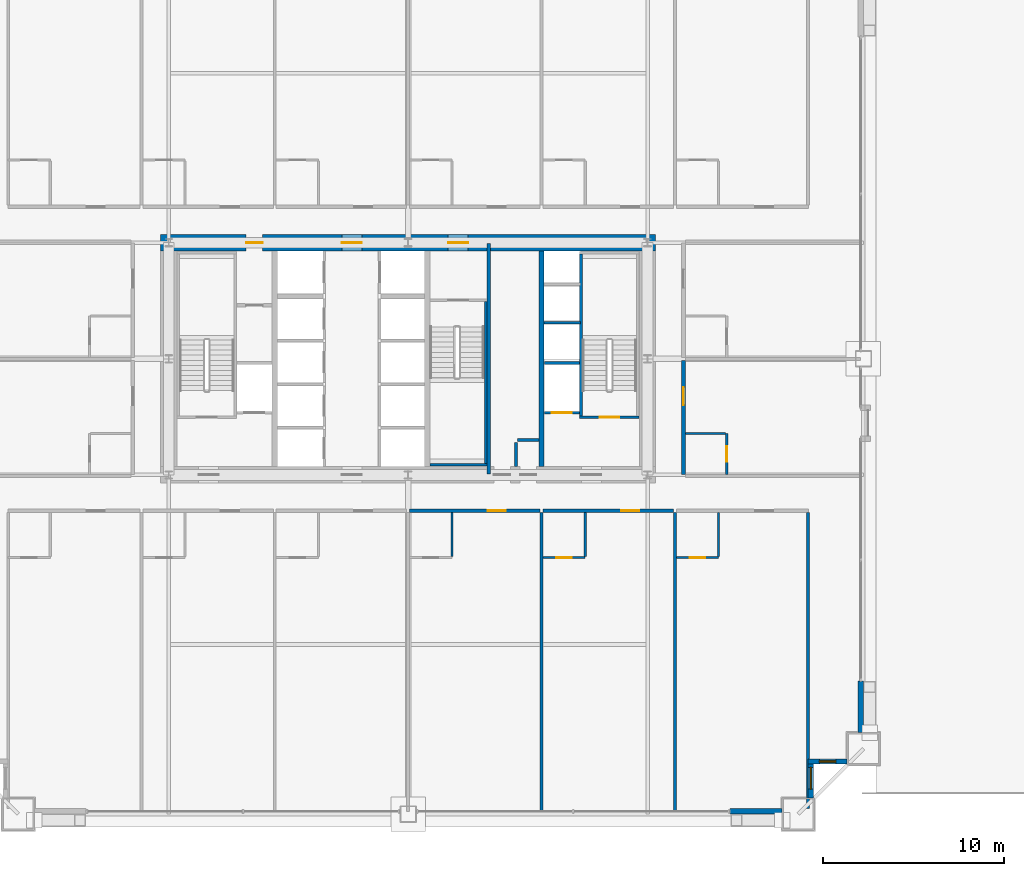
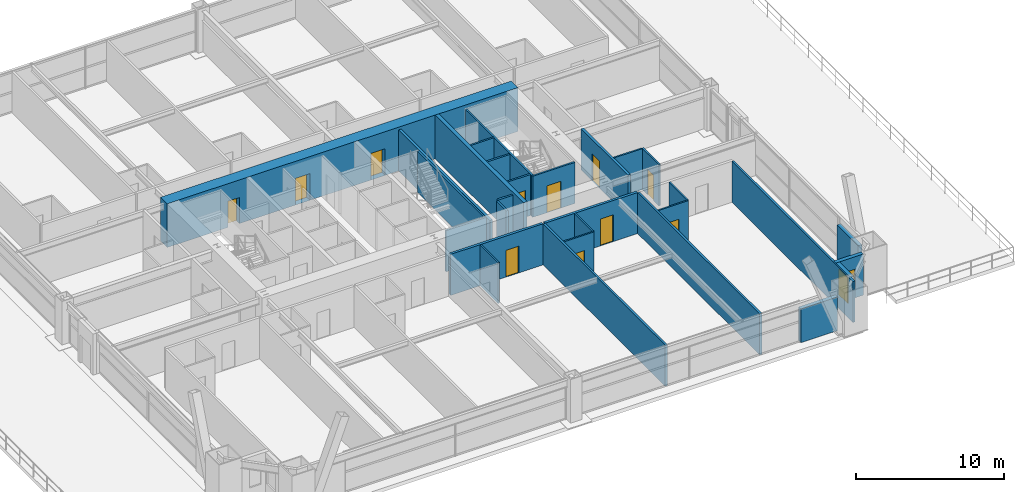
# One storey, part 40 of 45: 29 walls, 11 doors, 2 windows, 13 openings.
"""IFC4 building model written with IfcOpenShell, lengths in metres."""

from ifc_helpers import new_model, si_unit, direction, frame, frame_2d, origin, place, context, subcontext, project, spatial, rectangle, extrude, source, transform, mapped, material, layer, layer_set, type_object, element, fill, save


model = new_model("IFC4")

# Units and contexts
model_context = context("Model", 3, precision=1e-05, world=origin(), true_north=direction((0.0, 1.0)))
body_context = subcontext(model_context, "Body", "Model", "MODEL_VIEW")
ifc_project = project(units=[si_unit("LENGTHUNIT", "METRE"), si_unit("AREAUNIT", "SQUARE_METRE"), si_unit("VOLUMEUNIT", "CUBIC_METRE"), si_unit("PLANEANGLEUNIT", "RADIAN"), si_unit("MASSUNIT", "GRAM", prefix="KILO"), si_unit("THERMODYNAMICTEMPERATUREUNIT", "KELVIN"), si_unit("POWERUNIT", "WATT")], contexts=[model_context])

# Site, building, storey
site_placement = place(None, origin())
site = spatial("IfcSite", under=ifc_project, at=site_placement, CompositionType="ELEMENT")
building_placement = place(site_placement, origin())
building = spatial("IfcBuilding", under=site, at=building_placement, Name="Yuzanri Waterfront Tower", CompositionType="ELEMENT")
storey_placement = place(building_placement, frame((0.0, 0.0, 30.60009765625)))
storey = spatial("IfcBuildingStorey", under=building, at=storey_placement, Name="L07", CompositionType="ELEMENT", Elevation=30.60009765625)

# Wall, opening, door
ifc_material_1 = material(Name="Moisture-Resistant Gypsum Stud Wall", Category="gypsum")
ifc_layer_1 = layer(ifc_material_1, 0.1201171875)
ifc_layer_set_1 = layer_set([ifc_layer_1], Name="Moisture-Resistant Gypsum Stud Wall")
wall_type_1 = type_object("IfcWallType", Name="Bathroom and Kitchen Wet Partition 120", PredefinedType="PARTITIONING", material=ifc_layer_set_1)
wall_1_placement = place(storey_placement, frame((44.43310546875, 14.840087890625, 0.0), z_axis=(0.0, 0.0, 1.0), x_axis=(1.0, 0.0, 0.0)))
wall_1 = element("IfcWall", 1, at=wall_1_placement, inside=storey, type_object=wall_type_1, Name="L07 Partition UW-L07-S5-BS", PredefinedType="PARTITIONING", context=body_context, shape_type="SweptSolid", body=[
    extrude(rectangle(XDim=2.329833984375, YDim=0.1201171875, at=frame_2d((1.1650390625, 0.0))), origin(), (0.0, 0.0, 1.0), 3.3798828125),
])
opening_1_placement = place(wall_1_placement, frame((0.739990234375, 0.0, 0.0)))
opening_1 = element("IfcOpeningElement", 2, at=opening_1_placement, cuts=wall_1, Name="Opening ID-0850", PredefinedType="OPENING", context=body_context, shape_type="SweptSolid", body=[
    extrude(rectangle(XDim=0.85009765625, YDim=2.10009765625, at=frame_2d((0.425048828125, 1.050048828125))), frame((0.0, 0.074951171875, 0.0), z_axis=(0.0, -1.0, 0.0), x_axis=(1.0, 0.0, 0.0)), (0.0, 0.0, 1.0), 0.14990234375),
])
ifc_material_2 = material(Name="Moisture-Resistant Lacquered Timber", Category="wood")
door_type_1 = type_object("IfcDoorType", Name="En-Suite Bathroom and Kitchen Swing Door 850x2100", OperationType="NOTDEFINED", PredefinedType="DOOR", material=ifc_material_2)
shared_shape_1 = source(origin(), body_context, "Body", "SweptSolid", [
    extrude(rectangle(XDim=0.85009765625, YDim=2.10009765625, at=frame_2d((0.425048828125, 1.050048828125))), frame((0.0, 0.02490234375, 0.0), z_axis=(0.0, -1.0, 0.0), x_axis=(1.0, 0.0, 0.0)), (0.0, 0.0, 1.0), 0.050048828125),
])
door_1_placement = place(opening_1_placement, origin())
door_1 = element("IfcDoor", 3, at=door_1_placement, inside=storey, type_object=door_type_1, Name="L07 Guest En-Suite Door", OperationType="SINGLE_SWING_LEFT", OverallHeight=2.10009765625, OverallWidth=0.85009765625, PredefinedType="DOOR", context=body_context, shape_type="MappedRepresentation", body=[
    mapped(shared_shape_1, transform((0.0, 0.0, 0.0), scale=1.0)),
])
fill(opening_1, door_1)

wall_2_placement = place(storey_placement, frame((51.787109375, 14.840087890625, 0.0), z_axis=(0.0, 0.0, 1.0), x_axis=(1.0, 0.0, 0.0)))
wall_2 = element("IfcWall", 4, at=wall_2_placement, inside=storey, type_object=wall_type_1, Name="L07 Partition UW-L07-S6-BS", PredefinedType="PARTITIONING", context=body_context, shape_type="SweptSolid", body=[
    extrude(rectangle(XDim=2.329833984375, YDim=0.1201171875, at=frame_2d((1.1650390625, 0.0))), origin(), (0.0, 0.0, 1.0), 3.3798828125),
])
opening_2_placement = place(wall_2_placement, frame((0.739990234375, 0.0, 0.0)))
opening_2 = element("IfcOpeningElement", 5, at=opening_2_placement, cuts=wall_2, Name="Opening ID-0850", PredefinedType="OPENING", context=body_context, shape_type="SweptSolid", body=[
    extrude(rectangle(XDim=0.85009765625, YDim=2.10009765625, at=frame_2d((0.425048828125, 1.050048828125))), frame((0.0, 0.074951171875, 0.0), z_axis=(0.0, -1.0, 0.0), x_axis=(1.0, 0.0, 0.0)), (0.0, 0.0, 1.0), 0.14990234375),
])
door_2_placement = place(opening_2_placement, origin())
door_2 = element("IfcDoor", 6, at=door_2_placement, inside=storey, type_object=door_type_1, Name="L07 Guest En-Suite Door", OperationType="SINGLE_SWING_LEFT", OverallHeight=2.10009765625, OverallWidth=0.85009765625, PredefinedType="DOOR", context=body_context, shape_type="MappedRepresentation", body=[
    mapped(shared_shape_1, transform((0.0, 0.0, 0.0), scale=1.0)),
])
fill(opening_2, door_2)

wall_3_placement = place(storey_placement, frame((54.56005859375, 19.409912109375, 0.0), z_axis=(0.0, 0.0, 1.0), x_axis=(0.0, 1.0, 0.0)))
wall_3 = element("IfcWall", 7, at=wall_3_placement, inside=storey, type_object=wall_type_1, Name="L07 Partition UW-L07-E1-BE2", PredefinedType="PARTITIONING", context=body_context, shape_type="SweptSolid", body=[
    extrude(rectangle(XDim=2.280029296875, YDim=0.1201171875, at=frame_2d((1.14013671875, 0.0))), origin(), (0.0, 0.0, 1.0), 3.3798828125),
])
opening_3_placement = place(wall_3_placement, frame((0.715087890625, 0.0, 0.0)))
opening_3 = element("IfcOpeningElement", 8, at=opening_3_placement, cuts=wall_3, Name="Opening ID-0850", PredefinedType="OPENING", context=body_context, shape_type="SweptSolid", body=[
    extrude(rectangle(XDim=0.85009765625, YDim=2.10009765625, at=frame_2d((0.425048828125, 1.050048828125))), frame((0.0, 0.074951171875, 0.0), z_axis=(0.0, -1.0, 0.0), x_axis=(1.0, 0.0, 0.0)), (0.0, 0.0, 1.0), 0.14990234375),
])
door_3_placement = place(opening_3_placement, origin())
door_3 = element("IfcDoor", 9, at=door_3_placement, inside=storey, type_object=door_type_1, Name="L07 Guest En-Suite Door", OperationType="SINGLE_SWING_LEFT", OverallHeight=2.10009765625, OverallWidth=0.85009765625, PredefinedType="DOOR", context=body_context, shape_type="MappedRepresentation", body=[
    mapped(shared_shape_1, transform((0.0, 0.0, 0.0), scale=1.0)),
])
fill(opening_3, door_3)

# Wall, opening, window
ifc_material_3 = material(Name="Honed Chongqing Dark Basalt Stone", Category="masonry")
ifc_layer_2 = layer(ifc_material_3, 0.300048828125)
ifc_layer_set_2 = layer_set([ifc_layer_2], Name="Honed Chongqing Dark Basalt Stone")
wall_type_2 = type_object("IfcWallType", Name="Bronze Rainscreen Insulated Spandrel Portal Wall 300", PredefinedType="SOLIDWALL", material=ifc_layer_set_2)
wall_4_placement = place(storey_placement, frame((59.050048828125, 3.60009765625, 0.0), z_axis=(0.0, 0.0, 1.0), x_axis=(1.0, 0.0, 0.0)))
wall_4 = element("IfcWall", 10, at=wall_4_placement, inside=storey, type_object=wall_type_2, Name="L07 Notched Corner Masonry Wall SE-X", PredefinedType="SOLIDWALL", context=body_context, shape_type="SweptSolid", body=[
    extrude(rectangle(XDim=2.14990234375, YDim=0.300048828125, at=frame_2d((1.074951171875, 0.0))), origin(), (0.0, 0.0, 1.0), 3.3798828125),
])
opening_4_placement = place(wall_4_placement, frame((0.625, 0.0, 0.85009765625)))
opening_4 = element("IfcOpeningElement", 11, at=opening_4_placement, cuts=wall_4, Name="Opening WN-05", PredefinedType="OPENING", context=body_context, shape_type="SweptSolid", body=[
    extrude(rectangle(XDim=0.89990234375, YDim=1.5, at=frame_2d((0.449951171875, 0.75))), frame((0.0, 0.1650390625, 0.0), z_axis=(0.0, -1.0, 0.0), x_axis=(1.0, 0.0, 0.0)), (0.0, 0.0, 1.0), 0.329833984375),
])
ifc_material_4 = material(Name="Double-Silver Low-E Insulated Glass", Category="glass")
window_type_1 = type_object("IfcWindowType", Name="Anodized Bronze Service and Stairwell Smoke-Vent Window 900x1500", PartitioningType="SINGLE_PANEL", PredefinedType="WINDOW", material=ifc_material_4)
shared_shape_2 = source(origin(), body_context, "Body", "SweptSolid", [
    extrude(rectangle(XDim=0.89990234375, YDim=1.5, at=frame_2d((0.449951171875, 0.75))), frame((0.0, 0.030029296875, 0.0), z_axis=(0.0, -1.0, 0.0), x_axis=(1.0, 0.0, 0.0)), (0.0, 0.0, 1.0), 0.06005859375),
])
window_1_placement = place(opening_4_placement, origin())
window_1 = element("IfcWindow", 12, at=window_1_placement, inside=storey, type_object=window_type_1, Name="L07 Notched Corner Window SE-X", OverallHeight=1.5, OverallWidth=0.89990234375, PartitioningType="SINGLE_PANEL", PredefinedType="WINDOW", context=body_context, shape_type="MappedRepresentation", body=[
    mapped(shared_shape_2, transform((0.0, 0.0, 0.0), scale=1.0)),
])
fill(opening_4, window_1)

wall_5_placement = place(storey_placement, frame((59.199951171875, 1.60009765625, 0.0), z_axis=(0.0, 0.0, 1.0), x_axis=(0.0, 1.0, 0.0)))
wall_5 = element("IfcWall", 13, at=wall_5_placement, inside=storey, type_object=wall_type_2, Name="L07 Notched Corner Masonry Wall SE-Y", PredefinedType="SOLIDWALL", context=body_context, shape_type="SweptSolid", body=[
    extrude(rectangle(XDim=2.14990234375, YDim=0.300048828125, at=frame_2d((1.074951171875, 0.0))), origin(), (0.0, 0.0, 1.0), 3.3798828125),
])
opening_5_placement = place(wall_5_placement, frame((0.47509765625, 0.0, 0.85009765625)))
opening_5 = element("IfcOpeningElement", 14, at=opening_5_placement, cuts=wall_5, Name="Opening WN-02", PredefinedType="OPENING", context=body_context, shape_type="SweptSolid", body=[
    extrude(rectangle(XDim=1.199951171875, YDim=2.10009765625, at=frame_2d((0.60009765625, 1.050048828125))), frame((0.0, 0.1650390625, 0.0), z_axis=(0.0, -1.0, 0.0), x_axis=(1.0, 0.0, 0.0)), (0.0, 0.0, 1.0), 0.329833984375),
])
ifc_material_5 = material(Name="Double-Silver Low-E Insulated Glass", Category="glass")
window_type_2 = type_object("IfcWindowType", Name="Anodized Bronze Notched Corner Deep-Set Slot Window 1200x2100", PartitioningType="SINGLE_PANEL", PredefinedType="WINDOW", material=ifc_material_5)
shared_shape_3 = source(origin(), body_context, "Body", "SweptSolid", [
    extrude(rectangle(XDim=1.199951171875, YDim=2.10009765625, at=frame_2d((0.60009765625, 1.050048828125))), frame((0.0, 0.030029296875, 0.0), z_axis=(0.0, -1.0, 0.0), x_axis=(1.0, 0.0, 0.0)), (0.0, 0.0, 1.0), 0.06005859375),
])
window_2_placement = place(opening_5_placement, origin())
window_2 = element("IfcWindow", 15, at=window_2_placement, inside=storey, type_object=window_type_2, Name="L07 Notched Corner Window SE-Y", OverallHeight=2.10009765625, OverallWidth=1.199951171875, PartitioningType="SINGLE_PANEL", PredefinedType="WINDOW", context=body_context, shape_type="MappedRepresentation", body=[
    mapped(shared_shape_3, transform((0.0, 0.0, 0.0), scale=1.0)),
])
fill(opening_5, window_2)

# Wall, openings, doors
ifc_material_6 = material(Name="Concrete C60", Category="concrete")
ifc_layer_3 = layer(ifc_material_6, 0.89990234375)
ifc_layer_set_3 = layer_set([ifc_layer_3], Name="Concrete C60")
wall_type_3 = type_object("IfcWallType", Name="Concrete C60 Lower Zone Core Shear Wall 900", PredefinedType="SHEAR", material=ifc_layer_set_3)
wall_6_placement = place(storey_placement, frame((23.35009765625, 32.199951171875, 0.0), z_axis=(0.0, 0.0, 1.0), x_axis=(1.0, 0.0, 0.0)))
wall_6 = element("IfcWall", 16, at=wall_6_placement, inside=storey, type_object=wall_type_3, Name="L07 Core North Shear Wall", PredefinedType="SHEAR", context=body_context, shape_type="SweptSolid", body=[
    extrude(rectangle(XDim=27.2998046875, YDim=0.89990234375, at=frame_2d((13.64990234375, 0.0))), origin(), (0.0, 0.0, 1.0), 3.599853515625),
])
opening_6_placement = place(wall_6_placement, frame((4.719970703125, 0.0, 0.0)))
opening_6 = element("IfcOpeningElement", 17, at=opening_6_placement, cuts=wall_6, Name="Opening FD-0900", PredefinedType="OPENING", context=body_context, shape_type="SweptSolid", body=[
    extrude(rectangle(XDim=0.89990234375, YDim=2.14990234375, at=frame_2d((0.449951171875, 1.074951171875))), frame((0.0, 0.46484375, 0.0), z_axis=(0.0, -1.0, 0.0), x_axis=(1.0, 0.0, 0.0)), (0.0, 0.0, 1.0), 0.9296875),
])
opening_7_placement = place(wall_6_placement, frame((10.0, 0.0, 0.0)))
opening_7 = element("IfcOpeningElement", 18, at=opening_7_placement, cuts=wall_6, Name="Opening FD-1100", PredefinedType="OPENING", context=body_context, shape_type="SweptSolid", body=[
    extrude(rectangle(XDim=1.10009765625, YDim=2.199951171875, at=frame_2d((0.550048828125, 1.10009765625))), frame((0.0, 0.46484375, 0.0), z_axis=(0.0, -1.0, 0.0), x_axis=(1.0, 0.0, 0.0)), (0.0, 0.0, 1.0), 0.9296875),
])
opening_8_placement = place(wall_6_placement, frame((15.85009765625, 0.0, 0.0)))
opening_8 = element("IfcOpeningElement", 19, at=opening_8_placement, cuts=wall_6, Name="Opening FD-1100", PredefinedType="OPENING", context=body_context, shape_type="SweptSolid", body=[
    extrude(rectangle(XDim=1.10009765625, YDim=2.199951171875, at=frame_2d((0.550048828125, 1.10009765625))), frame((0.0, 0.46484375, 0.0), z_axis=(0.0, -1.0, 0.0), x_axis=(1.0, 0.0, 0.0)), (0.0, 0.0, 1.0), 0.9296875),
])
ifc_material_7 = material(Name="Painted Galvanized Fire Steel", Category="steel")
door_type_2 = type_object("IfcDoorType", Name="Smoke-Proof Stair and Lobby Fire Door 1100x2200", OperationType="NOTDEFINED", PredefinedType="DOOR", material=ifc_material_7)
shared_shape_4 = source(origin(), body_context, "Body", "SweptSolid", [
    extrude(rectangle(XDim=1.10009765625, YDim=2.199951171875, at=frame_2d((0.550048828125, 1.10009765625))), frame((0.0, 0.02490234375, 0.0), z_axis=(0.0, -1.0, 0.0), x_axis=(1.0, 0.0, 0.0)), (0.0, 0.0, 1.0), 0.050048828125),
])
door_4_placement = place(opening_7_placement, origin())
door_4 = element("IfcDoor", 20, at=door_4_placement, inside=storey, type_object=door_type_2, Name="L07 Central Lift Lobby North Door", OperationType="SINGLE_SWING_LEFT", OverallHeight=2.199951171875, OverallWidth=1.10009765625, PredefinedType="DOOR", context=body_context, shape_type="MappedRepresentation", body=[
    mapped(shared_shape_4, transform((0.0, 0.0, 0.0), scale=1.0)),
])
fill(opening_7, door_4)
door_5_placement = place(opening_8_placement, origin())
door_5 = element("IfcDoor", 21, at=door_5_placement, inside=storey, type_object=door_type_2, Name="L07 North Stair Lobby Door", OperationType="SINGLE_SWING_RIGHT", OverallHeight=2.199951171875, OverallWidth=1.10009765625, PredefinedType="DOOR", context=body_context, shape_type="MappedRepresentation", body=[
    mapped(shared_shape_4, transform((0.0, 0.0, 0.0), scale=1.0)),
])
fill(opening_8, door_5)
ifc_material_8 = material(Name="Painted Galvanized Fire Steel", Category="steel")
door_type_3 = type_object("IfcDoorType", Name="Riser and Service Room Fire Door 900x2150", OperationType="NOTDEFINED", PredefinedType="DOOR", material=ifc_material_8)
shared_shape_5 = source(origin(), body_context, "Body", "SweptSolid", [
    extrude(rectangle(XDim=0.89990234375, YDim=2.14990234375, at=frame_2d((0.449951171875, 1.074951171875))), frame((0.0, 0.02490234375, 0.0), z_axis=(0.0, -1.0, 0.0), x_axis=(1.0, 0.0, 0.0)), (0.0, 0.0, 1.0), 0.050048828125),
])
door_6_placement = place(opening_6_placement, origin())
door_6 = element("IfcDoor", 22, at=door_6_placement, inside=storey, type_object=door_type_3, Name="L07 Telecom Riser Door", OperationType="SINGLE_SWING_RIGHT", OverallHeight=2.14990234375, OverallWidth=0.89990234375, PredefinedType="DOOR", context=body_context, shape_type="MappedRepresentation", body=[
    mapped(shared_shape_5, transform((0.0, 0.0, 0.0), scale=1.0)),
])
fill(opening_6, door_6)

# Wall, opening, door
ifc_material_9 = material(Name="Concrete C40", Category="concrete")
ifc_layer_4 = layer(ifc_material_9, 0.139892578125)
ifc_layer_set_4 = layer_set([ifc_layer_4], Name="Concrete C40")
wall_type_4 = type_object("IfcWallType", Name="Core Stair Liner and Hoistway Shaft Wall 140", PredefinedType="SOLIDWALL", material=ifc_layer_set_4)
wall_7_placement = place(storey_placement, frame((44.52001953125, 22.830078125, 0.0), z_axis=(0.0, 0.0, 1.0), x_axis=(1.0, 0.0, 0.0)))
wall_7 = element("IfcWall", 23, at=wall_7_placement, inside=storey, type_object=wall_type_4, Name="L07 Lift FL-02 Front Shaft Wall", PredefinedType="SOLIDWALL", context=body_context, shape_type="SweptSolid", body=[
    extrude(rectangle(XDim=1.919921875, YDim=0.139892578125, at=frame_2d((0.9599609375, 0.0))), origin(), (0.0, 0.0, 1.0), 3.3798828125),
])
opening_9_placement = place(wall_7_placement, frame((0.409912109375, 0.0, 0.0)))
opening_9 = element("IfcOpeningElement", 24, at=opening_9_placement, cuts=wall_7, Name="Opening LD-FL-02", PredefinedType="OPENING", context=body_context, shape_type="SweptSolid", body=[
    extrude(rectangle(XDim=1.10009765625, YDim=2.199951171875, at=frame_2d((0.550048828125, 1.10009765625))), frame((0.0, 0.0849609375, 0.0), z_axis=(0.0, -1.0, 0.0), x_axis=(1.0, 0.0, 0.0)), (0.0, 0.0, 1.0), 0.169677734375),
])
ifc_material_10 = material(Name="Brushed Bronze and Stainless Steel Cab", Category="steel")
door_type_4 = type_object("IfcDoorType", Name="Center-Parting Bronze Lift Landing Sliding Door 1100x2200", OperationType="NOTDEFINED", PredefinedType="DOOR", material=ifc_material_10)
shared_shape_6 = source(origin(), body_context, "Body", "SweptSolid", [
    extrude(rectangle(XDim=1.10009765625, YDim=2.199951171875, at=frame_2d((0.550048828125, 1.10009765625))), frame((0.0, 0.02490234375, 0.0), z_axis=(0.0, -1.0, 0.0), x_axis=(1.0, 0.0, 0.0)), (0.0, 0.0, 1.0), 0.050048828125),
])
door_7_placement = place(opening_9_placement, origin())
door_7 = element("IfcDoor", 25, at=door_7_placement, inside=storey, type_object=door_type_4, Name="L07 FL-02 Lift Landing Sliding Door", OperationType="SLIDING_TO_RIGHT", OverallHeight=2.199951171875, OverallWidth=1.10009765625, PredefinedType="DOOR", context=body_context, shape_type="MappedRepresentation", body=[
    mapped(shared_shape_6, transform((0.0, 0.0, 0.0), scale=1.0)),
])
fill(opening_9, door_7)

wall_8_placement = place(storey_placement, frame((46.4599609375, 22.570068359375, 0.0), z_axis=(0.0, 0.0, 1.0), x_axis=(1.0, 0.0, 0.0)))
wall_8 = element("IfcWall", 26, at=wall_8_placement, inside=storey, type_object=wall_type_4, Name="L07 Shaft Wall STW-L07-ST-02-S", PredefinedType="SOLIDWALL", context=body_context, shape_type="SweptSolid", body=[
    extrude(rectangle(XDim=3.280029296875, YDim=0.139892578125, at=frame_2d((1.64013671875, 0.0))), origin(), (0.0, 0.0, 1.0), 3.3798828125),
])
opening_10_placement = place(wall_8_placement, frame((1.090087890625, 0.0, 0.0)))
opening_10 = element("IfcOpeningElement", 27, at=opening_10_placement, cuts=wall_8, Name="Opening FD-1100", PredefinedType="OPENING", context=body_context, shape_type="SweptSolid", body=[
    extrude(rectangle(XDim=1.10009765625, YDim=2.199951171875, at=frame_2d((0.550048828125, 1.10009765625))), frame((0.0, 0.0849609375, 0.0), z_axis=(0.0, -1.0, 0.0), x_axis=(1.0, 0.0, 0.0)), (0.0, 0.0, 1.0), 0.169677734375),
])
door_8_placement = place(opening_10_placement, origin())
door_8 = element("IfcDoor", 28, at=door_8_placement, inside=storey, type_object=door_type_2, Name="L07 Stair ST-02 Fire Door", OperationType="SINGLE_SWING_LEFT", OverallHeight=2.199951171875, OverallWidth=1.10009765625, PredefinedType="DOOR", context=body_context, shape_type="MappedRepresentation", body=[
    mapped(shared_shape_4, transform((0.0, 0.0, 0.0), scale=1.0)),
])
fill(opening_10, door_8)

ifc_material_11 = material(Name="Autoclaved Aerated Concrete Blockwork", Category="masonry")
ifc_layer_5 = layer(ifc_material_11, 0.199951171875)
ifc_layer_set_5 = layer_set([ifc_layer_5], Name="Autoclaved Aerated Concrete Blockwork")
wall_type_5 = type_object("IfcWallType", Name="Corridor and Unit Party Fire Wall 200", PredefinedType="PARTITIONING", material=ifc_layer_set_5)
wall_9_placement = place(storey_placement, frame((37.080078125, 17.419921875, 0.0), z_axis=(0.0, 0.0, 1.0), x_axis=(1.0, 0.0, 0.0)))
wall_9 = element("IfcWall", 29, at=wall_9_placement, inside=storey, type_object=wall_type_5, Name="L07 Partition UW-L07-S4-CN", PredefinedType="PARTITIONING", context=body_context, shape_type="SweptSolid", body=[
    extrude(rectangle(XDim=7.19287109375, YDim=0.199951171875, at=frame_2d((3.596435546875, 0.0))), origin(), (0.0, 0.0, 1.0), 3.3798828125),
])
opening_11_placement = place(wall_9_placement, frame((4.302001953125, 0.0, 0.0)))
opening_11 = element("IfcOpeningElement", 30, at=opening_11_placement, cuts=wall_9, Name="Opening FD-1000", PredefinedType="OPENING", context=body_context, shape_type="SweptSolid", body=[
    extrude(rectangle(XDim=1.0, YDim=2.199951171875, at=frame_2d((0.5, 1.10009765625))), frame((0.0, 0.11474609375, 0.0), z_axis=(0.0, -1.0, 0.0), x_axis=(1.0, 0.0, 0.0)), (0.0, 0.0, 1.0), 0.229736328125),
])
ifc_material_12 = material(Name="Engineered Oak Fire-Rated Timber", Category="wood")
door_type_5 = type_object("IfcDoorType", Name="Guestroom and Apartment Entrance Fire Door 1000x2200", OperationType="NOTDEFINED", PredefinedType="DOOR", material=ifc_material_12)
shared_shape_7 = source(origin(), body_context, "Body", "SweptSolid", [
    extrude(rectangle(XDim=1.0, YDim=2.199951171875, at=frame_2d((0.5, 1.10009765625))), frame((0.0, 0.02490234375, 0.0), z_axis=(0.0, -1.0, 0.0), x_axis=(1.0, 0.0, 0.0)), (0.0, 0.0, 1.0), 0.050048828125),
])
door_9_placement = place(opening_11_placement, origin())
door_9 = element("IfcDoor", 31, at=door_9_placement, inside=storey, type_object=door_type_5, Name="L07 Premier King Junior Suite Entrance Door", OperationType="SINGLE_SWING_RIGHT", OverallHeight=2.199951171875, OverallWidth=1.0, PredefinedType="DOOR", context=body_context, shape_type="MappedRepresentation", body=[
    mapped(shared_shape_7, transform((0.0, 0.0, 0.0), scale=1.0)),
])
fill(opening_11, door_9)

wall_10_placement = place(storey_placement, frame((44.43310546875, 17.419921875, 0.0), z_axis=(0.0, 0.0, 1.0), x_axis=(1.0, 0.0, 0.0)))
wall_10 = element("IfcWall", 32, at=wall_10_placement, inside=storey, type_object=wall_type_5, Name="L07 Partition UW-L07-S5-CN", PredefinedType="PARTITIONING", context=body_context, shape_type="SweptSolid", body=[
    extrude(rectangle(XDim=7.19384765625, YDim=0.199951171875, at=frame_2d((3.596923828125, 0.0))), origin(), (0.0, 0.0, 1.0), 3.3798828125),
])
opening_12_placement = place(wall_10_placement, frame((4.302001953125, 0.0, 0.0)))
opening_12 = element("IfcOpeningElement", 33, at=opening_12_placement, cuts=wall_10, Name="Opening FD-1000", PredefinedType="OPENING", context=body_context, shape_type="SweptSolid", body=[
    extrude(rectangle(XDim=1.0, YDim=2.199951171875, at=frame_2d((0.5, 1.10009765625))), frame((0.0, 0.11474609375, 0.0), z_axis=(0.0, -1.0, 0.0), x_axis=(1.0, 0.0, 0.0)), (0.0, 0.0, 1.0), 0.229736328125),
])
door_10_placement = place(opening_12_placement, origin())
door_10 = element("IfcDoor", 34, at=door_10_placement, inside=storey, type_object=door_type_5, Name="L07 Premier King Junior Suite Entrance Door", OperationType="SINGLE_SWING_RIGHT", OverallHeight=2.199951171875, OverallWidth=1.0, PredefinedType="DOOR", context=body_context, shape_type="MappedRepresentation", body=[
    mapped(shared_shape_7, transform((0.0, 0.0, 0.0), scale=1.0)),
])
fill(opening_12, door_10)

wall_11_placement = place(storey_placement, frame((52.179931640625, 19.409912109375, 0.0), z_axis=(0.0, 0.0, 1.0), x_axis=(0.0, 1.0, 0.0)))
wall_11 = element("IfcWall", 35, at=wall_11_placement, inside=storey, type_object=wall_type_5, Name="L07 Partition UW-L07-E1-CW", PredefinedType="PARTITIONING", context=body_context, shape_type="SweptSolid", body=[
    extrude(rectangle(XDim=6.31005859375, YDim=0.199951171875, at=frame_2d((3.155029296875, 0.0))), origin(), (0.0, 0.0, 1.0), 3.3798828125),
])
opening_13_placement = place(wall_11_placement, frame((3.8349609375, 0.0, 0.0)))
opening_13 = element("IfcOpeningElement", 36, at=opening_13_placement, cuts=wall_11, Name="Opening FD-1000", PredefinedType="OPENING", context=body_context, shape_type="SweptSolid", body=[
    extrude(rectangle(XDim=1.0, YDim=2.199951171875, at=frame_2d((0.5, 1.10009765625))), frame((0.0, 0.11474609375, 0.0), z_axis=(0.0, -1.0, 0.0), x_axis=(1.0, 0.0, 0.0)), (0.0, 0.0, 1.0), 0.229736328125),
])
door_11_placement = place(opening_13_placement, origin())
door_11 = element("IfcDoor", 37, at=door_11_placement, inside=storey, type_object=door_type_5, Name="L07 Confluence Suite Entrance Door", OperationType="SINGLE_SWING_RIGHT", OverallHeight=2.199951171875, OverallWidth=1.0, PredefinedType="DOOR", context=body_context, shape_type="MappedRepresentation", body=[
    mapped(shared_shape_7, transform((0.0, 0.0, 0.0), scale=1.0)),
])
fill(opening_13, door_11)

# Walls
ifc_material_13 = material(Name="Concrete C50", Category="concrete")
ifc_layer_6 = layer(ifc_material_13, 0.300048828125)
ifc_layer_set_6 = layer_set([ifc_layer_6], Name="Concrete C50")
wall_type_6 = type_object("IfcWallType", Name="Concrete C50 Internal Core Shaft Structural Wall 300", PredefinedType="SOLIDWALL", material=ifc_layer_set_6)
shared_shape_8 = source(origin(), body_context, "Body", "SweptSolid", [
    extrude(rectangle(XDim=11.89990234375, YDim=0.300048828125, at=frame_2d((5.949951171875, 0.0))), origin(), (0.0, 0.0, 1.0), 3.599853515625),
])
wall_12_placement = place(storey_placement, frame((44.35009765625, 19.85009765625, 0.0), z_axis=(0.0, 0.0, 1.0), x_axis=(0.0, 1.0, 0.0)))
element("IfcWall", 38, at=wall_12_placement, inside=storey, type_object=wall_type_6, Name="L07 Core Internal Structural Web Wall 3", PredefinedType="SOLIDWALL", context=body_context, shape_type="MappedRepresentation", body=[
    mapped(shared_shape_8, transform((0.0, 0.0, 0.0), scale=1.0)),
])
shared_shape_9 = source(origin(), body_context, "Body", "SweptSolid", [
    extrude(rectangle(XDim=2.85009765625, YDim=0.300048828125, at=frame_2d((1.425048828125, 0.0))), origin(), (0.0, 0.0, 1.0), 2.77490234375),
])
for number, where, z_axis, x_axis, name in (
    (39, (54.75, 0.85009765625, 0.0), (0.0, 0.0, 1.0), (1.0, 0.0, 0.0), "L07 S Right Braced Masonry Shoulder"),
    (40, (61.949951171875, 5.199951171875, 0.0), (0.0, 0.0, 1.0), (0.0, 1.0, 0.0), "L07 E Left Braced Masonry Shoulder"),
):
    element("IfcWall", number, at=place(storey_placement, frame(where, z_axis=z_axis, x_axis=x_axis)), inside=storey, type_object=wall_type_2, Name=name, PredefinedType="SOLIDWALL", context=body_context, shape_type="MappedRepresentation", body=[
        mapped(shared_shape_9, transform((0.0, 0.0, 0.0), scale=1.0)),
    ])
shared_shape_10 = source(origin(), body_context, "Body", "SweptSolid", [
    extrude(rectangle(XDim=1.919921875, YDim=0.139892578125, at=frame_2d((0.9599609375, 0.0))), origin(), (0.0, 0.0, 1.0), 3.3798828125),
])
wall_13_placement = place(storey_placement, frame((44.52001953125, 25.570068359375, 0.0), z_axis=(0.0, 0.0, 1.0), x_axis=(1.0, 0.0, 0.0)))
element("IfcWall", 41, at=wall_13_placement, inside=storey, type_object=wall_type_4, Name="L07 Lift FL-02 Back Shaft Wall", PredefinedType="SOLIDWALL", context=body_context, shape_type="MappedRepresentation", body=[
    mapped(shared_shape_10, transform((0.0, 0.0, 0.0), scale=1.0)),
])
shared_shape_11 = source(origin(), body_context, "Body", "SweptSolid", [
    extrude(rectangle(XDim=2.0, YDim=0.139892578125, at=frame_2d((1.0, 0.0))), origin(), (0.0, 0.0, 1.0), 3.3798828125),
])
wall_14_placement = place(storey_placement, frame((44.5, 27.800048828125, 0.0), z_axis=(0.0, 0.0, 1.0), x_axis=(1.0, 0.0, 0.0)))
element("IfcWall", 42, at=wall_14_placement, inside=storey, type_object=wall_type_4, Name="L07 Lift PL-09 Divider Wall", PredefinedType="SOLIDWALL", context=body_context, shape_type="MappedRepresentation", body=[
    mapped(shared_shape_11, transform((0.0, 0.0, 0.0), scale=1.0)),
])
shared_shape_12 = source(origin(), body_context, "Body", "SweptSolid", [
    extrude(rectangle(XDim=8.940185546875, YDim=0.139892578125, at=frame_2d((4.47021484375, 0.0))), origin(), (0.0, 0.0, 1.0), 3.3798828125),
])
wall_15_placement = place(storey_placement, frame((46.530029296875, 22.639892578125, 0.0), z_axis=(0.0, 0.0, 1.0), x_axis=(0.0, 1.0, 0.0)))
element("IfcWall", 43, at=wall_15_placement, inside=storey, type_object=wall_type_4, Name="L07 Stair ST-02 West Shaft Wall", PredefinedType="SOLIDWALL", context=body_context, shape_type="MappedRepresentation", body=[
    mapped(shared_shape_12, transform((0.0, 0.0, 0.0), scale=1.0)),
])
shared_shape_13 = source(origin(), body_context, "Body", "SweptSolid", [
    extrude(rectangle(XDim=3.14013671875, YDim=0.139892578125, at=frame_2d((1.570068359375, 0.0))), origin(), (0.0, 0.0, 1.0), 3.3798828125),
])
wall_16_placement = place(storey_placement, frame((38.199951171875, 19.949951171875, 0.0), z_axis=(0.0, 0.0, 1.0), x_axis=(1.0, 0.0, 0.0)))
element("IfcWall", 44, at=wall_16_placement, inside=storey, type_object=wall_type_4, Name="L07 Stair ST-03 South Shaft Wall", PredefinedType="SOLIDWALL", context=body_context, shape_type="MappedRepresentation", body=[
    mapped(shared_shape_13, transform((0.0, 0.0, 0.0), scale=1.0)),
])
shared_shape_14 = source(origin(), body_context, "Body", "SweptSolid", [
    extrude(rectangle(XDim=8.93994140625, YDim=0.139892578125, at=frame_2d((4.469970703125, 0.0))), origin(), (0.0, 0.0, 1.0), 3.3798828125),
])
wall_17_placement = place(storey_placement, frame((41.27001953125, 20.02001953125, 0.0), z_axis=(0.0, 0.0, 1.0), x_axis=(0.0, 1.0, 0.0)))
element("IfcWall", 45, at=wall_17_placement, inside=storey, type_object=wall_type_4, Name="L07 Stair ST-03 East Shaft Wall", PredefinedType="SOLIDWALL", context=body_context, shape_type="MappedRepresentation", body=[
    mapped(shared_shape_14, transform((0.0, 0.0, 0.0), scale=1.0)),
])
ifc_material_14 = material(Name="Gypsum Fireboard Acoustic Stud Wall", Category="gypsum")
ifc_layer_7 = layer(ifc_material_14, 0.159912109375)
ifc_layer_set_7 = layer_set([ifc_layer_7], Name="Gypsum Fireboard Acoustic Stud Wall")
wall_type_7 = type_object("IfcWallType", Name="Acoustic Suite Demising Partition 160", PredefinedType="PARTITIONING", material=ifc_layer_set_7)
shared_shape_15 = source(origin(), body_context, "Body", "SweptSolid", [
    extrude(rectangle(XDim=1.33984375, YDim=0.159912109375, at=frame_2d((0.669921875, 0.0))), origin(), (0.0, 0.0, 1.0), 3.3798828125),
])
wall_18_placement = place(storey_placement, frame((42.949951171875, 19.860107421875, 0.0), z_axis=(0.0, 0.0, 1.0), x_axis=(0.0, 1.0, 0.0)))
element("IfcWall", 46, at=wall_18_placement, inside=storey, type_object=wall_type_7, Name="L07 East Wet Riser West Wall", PredefinedType="PARTITIONING", context=body_context, shape_type="MappedRepresentation", body=[
    mapped(shared_shape_15, transform((0.0, 0.0, 0.0), scale=1.0)),
])
shared_shape_16 = source(origin(), body_context, "Body", "SweptSolid", [
    extrude(rectangle(XDim=1.169921875, YDim=0.159912109375, at=frame_2d((0.5849609375, 0.0))), origin(), (0.0, 0.0, 1.0), 3.3798828125),
])
wall_19_placement = place(storey_placement, frame((43.030029296875, 21.320068359375, 0.0), z_axis=(0.0, 0.0, 1.0), x_axis=(1.0, 0.0, 0.0)))
element("IfcWall", 47, at=wall_19_placement, inside=storey, type_object=wall_type_7, Name="L07 East Wet Riser North Wall", PredefinedType="PARTITIONING", context=body_context, shape_type="MappedRepresentation", body=[
    mapped(shared_shape_16, transform((0.0, 0.0, 0.0), scale=1.0)),
])
shared_shape_17 = source(origin(), body_context, "Body", "SweptSolid", [
    extrude(rectangle(XDim=12.719970703125, YDim=0.199951171875, at=frame_2d((6.35986328125, 0.0))), origin(), (0.0, 0.0, 1.0), 3.3798828125),
])
wall_20_placement = place(storey_placement, frame((41.449951171875, 19.43994140625, 0.0), z_axis=(0.0, 0.0, 1.0), x_axis=(0.0, 1.0, 0.0)))
element("IfcWall", 48, at=wall_20_placement, inside=storey, type_object=wall_type_5, Name="L07 Core BOH West Wall 1", PredefinedType="PARTITIONING", context=body_context, shape_type="MappedRepresentation", body=[
    mapped(shared_shape_17, transform((0.0, 0.0, 0.0), scale=1.0)),
])
shared_shape_18 = source(origin(), body_context, "Body", "SweptSolid", [
    extrude(rectangle(XDim=16.469970703125, YDim=0.159912109375, at=frame_2d((8.23486328125, 0.0))), origin(), (0.0, 0.0, 1.0), 3.3798828125),
])
for number, where, z_axis, x_axis, name in (
    (49, (44.35302734375, 0.85009765625, 0.0), (0.0, 0.0, 1.0), (0.0, 1.0, 0.0), "L07-S4 Party Wall"),
    (50, (51.70703125, 0.85009765625, 0.0), (0.0, 0.0, 1.0), (0.0, 1.0, 0.0), "L07-S5 Party Wall"),
):
    element("IfcWall", number, at=place(storey_placement, frame(where, z_axis=z_axis, x_axis=x_axis)), inside=storey, type_object=wall_type_7, Name=name, PredefinedType="PARTITIONING", context=body_context, shape_type="MappedRepresentation", body=[
        mapped(shared_shape_18, transform((0.0, 0.0, 0.0), scale=1.0)),
    ])
shared_shape_19 = source(origin(), body_context, "Body", "SweptSolid", [
    extrude(rectangle(XDim=2.420166015625, YDim=0.1201171875, at=frame_2d((1.2099609375, 0.0))), origin(), (0.0, 0.0, 1.0), 3.3798828125),
])
for number, where, z_axis, x_axis, name in (
    (51, (39.409912109375, 14.89990234375, 0.0), (0.0, 0.0, 1.0), (0.0, 1.0, 0.0), "L07-S4 En-Suite Side Wall"),
    (52, (46.762939453125, 14.89990234375, 0.0), (0.0, 0.0, 1.0), (0.0, 1.0, 0.0), "L07-S5 En-Suite Side Wall"),
    (53, (54.116943359375, 14.89990234375, 0.0), (0.0, 0.0, 1.0), (0.0, 1.0, 0.0), "L07-S6 En-Suite Side Wall"),
):
    element("IfcWall", number, at=place(storey_placement, frame(where, z_axis=z_axis, x_axis=x_axis)), inside=storey, type_object=wall_type_1, Name=name, PredefinedType="PARTITIONING", context=body_context, shape_type="MappedRepresentation", body=[
        mapped(shared_shape_19, transform((0.0, 0.0, 0.0), scale=1.0)),
    ])
shared_shape_20 = source(origin(), body_context, "Body", "SweptSolid", [
    extrude(rectangle(XDim=16.320068359375, YDim=0.159912109375, at=frame_2d((8.16015625, 0.0))), origin(), (0.0, 0.0, 1.0), 3.3798828125),
])
wall_21_placement = place(storey_placement, frame((59.050048828125, 1.0, 0.0), z_axis=(0.0, 0.0, 1.0), x_axis=(0.0, 1.0, 0.0)))
element("IfcWall", 54, at=wall_21_placement, inside=storey, type_object=wall_type_7, Name="L07 South Band East End Wall", PredefinedType="PARTITIONING", context=body_context, shape_type="MappedRepresentation", body=[
    mapped(shared_shape_20, transform((0.0, 0.0, 0.0), scale=1.0)),
])
shared_shape_21 = source(origin(), body_context, "Body", "SweptSolid", [
    extrude(rectangle(XDim=2.219970703125, YDim=0.1201171875, at=frame_2d((1.10986328125, 0.0))), origin(), (0.0, 0.0, 1.0), 3.3798828125),
])
wall_22_placement = place(storey_placement, frame((52.280029296875, 21.68994140625, 0.0), z_axis=(0.0, 0.0, 1.0), x_axis=(1.0, 0.0, 0.0)))
element("IfcWall", 55, at=wall_22_placement, inside=storey, type_object=wall_type_1, Name="L07-E1 En-Suite Top Wall", PredefinedType="PARTITIONING", context=body_context, shape_type="MappedRepresentation", body=[
    mapped(shared_shape_21, transform((0.0, 0.0, 0.0), scale=1.0)),
])

save(model, "model.ifc")
